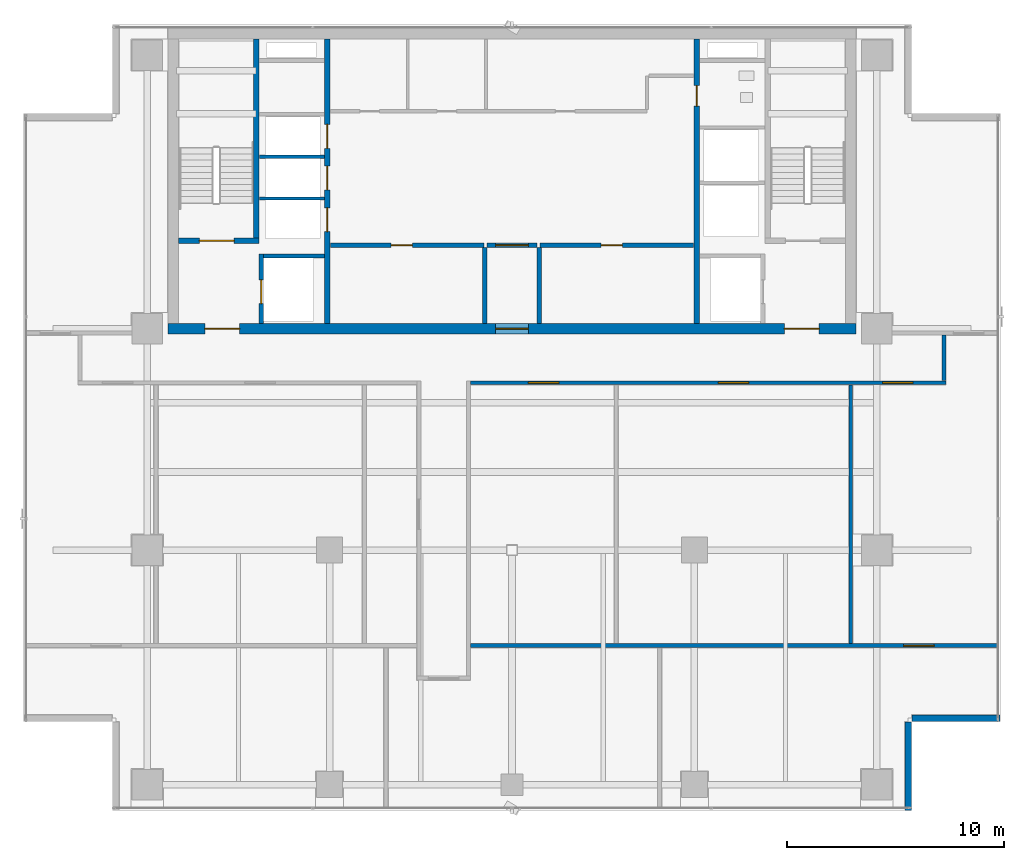
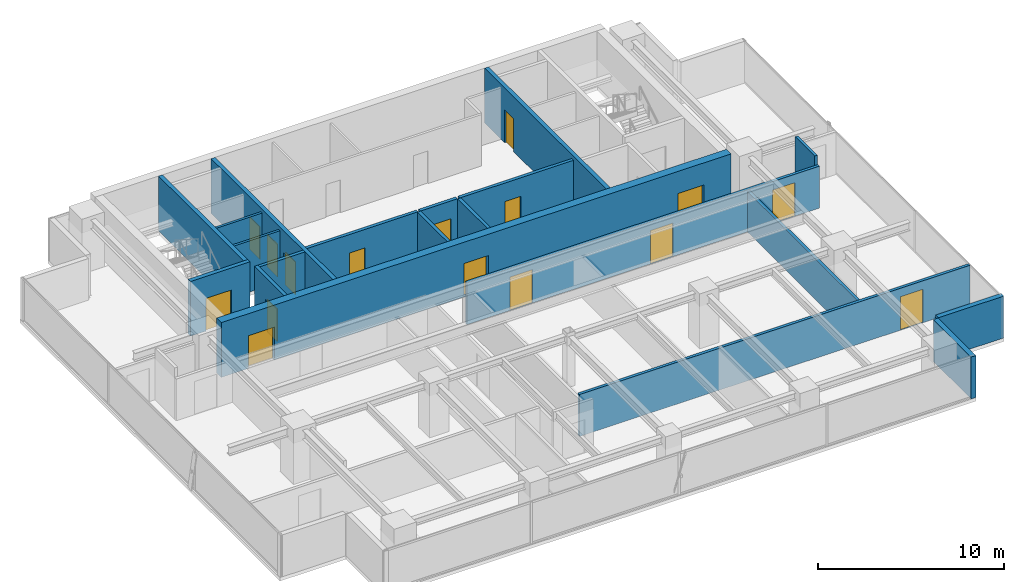
# One storey, part 20 of 25: 20 walls, 16 doors, 16 openings.
"""IFC4 building model written with IfcOpenShell, lengths in metres."""

from ifc_helpers import new_model, si_unit, direction, frame, frame_2d, origin, place, context, subcontext, project, spatial, rectangle, extrude, source, transform, mapped, material, layer, layer_set, type_object, element, fill, save


model = new_model("IFC4")

# Units and contexts
model_context = context("Model", 3, precision=1e-05, world=origin(), true_north=direction((0.0, 1.0)))
body_context = subcontext(model_context, "Body", "Model", "MODEL_VIEW")
ifc_project = project(units=[si_unit("LENGTHUNIT", "METRE"), si_unit("AREAUNIT", "SQUARE_METRE"), si_unit("VOLUMEUNIT", "CUBIC_METRE"), si_unit("PLANEANGLEUNIT", "RADIAN"), si_unit("MASSUNIT", "GRAM", prefix="KILO")], contexts=[model_context])

# Site, building, storey
site_placement = place(None, origin())
site = spatial("IfcSite", under=ifc_project, at=site_placement, CompositionType="ELEMENT")
building_placement = place(site_placement, origin())
building = spatial("IfcBuilding", under=site, at=building_placement, Name="Sumidabori Civic Tower", CompositionType="ELEMENT")
storey_placement = place(building_placement, frame((0.0, 0.0, 268.39990234375)))
storey = spatial("IfcBuildingStorey", under=building, at=storey_placement, Name="L70", CompositionType="ELEMENT", Elevation=268.39990234375)

# Wall
ifc_material_1 = material(Name="Concrete C50/60", Category="concrete")
ifc_layer_1 = layer(ifc_material_1, 0.199951171875, Name="Concrete C50/60")
ifc_layer_set_1 = layer_set([ifc_layer_1], Name="Concrete C50/60")
wall_type_1 = type_object("IfcWallType", Name="WL-SHAFT-200", PredefinedType="SHEAR", material=ifc_layer_set_1)
shared_shape_1 = source(origin(), body_context, "Body", "SweptSolid", [
    extrude(rectangle(XDim=2.824951171875, YDim=0.199951171875, at=frame_2d((1.41259765625, 0.0))), origin(), (0.0, 0.0, 1.0), 3.60009765625),
])
wall_1_placement = place(storey_placement, frame((-11.449951171875, 13.550048828125, 0.0), z_axis=(0.0, 0.0, 1.0), x_axis=(1.0, 0.0, 0.0)))
element("IfcWall", 1, at=wall_1_placement, inside=storey, type_object=wall_type_1, Name="Core Shear Wall L70 EL1-N", PredefinedType="SHEAR", context=body_context, shape_type="MappedRepresentation", body=[
    mapped(shared_shape_1, transform((0.0, 0.0, 0.0), x_axis=(1.0, 0.0, 0.0), y_axis=(0.0, 1.0, 0.0), z_axis=(0.0, 0.0, 1.0), scale=1.0)),
])

# Wall, openings, doors
ifc_layer_2 = layer(ifc_material_1, 0.5, Name="Concrete C50/60")
ifc_layer_set_2 = layer_set([ifc_layer_2], Name="Concrete C50/60")
wall_type_2 = type_object("IfcWallType", Name="WL-CORE-500", PredefinedType="SHEAR", material=ifc_layer_set_2)
shared_shape_2 = source(origin(), body_context, "Body", "SweptSolid", [
    extrude(rectangle(XDim=31.7001953125, YDim=0.5, at=frame_2d((15.85009765625, 0.0))), origin(), (0.0, 0.0, 1.0), 3.60009765625),
])
wall_2_placement = place(storey_placement, frame((-15.85009765625, 10.199951171875, 0.0), z_axis=(0.0, 0.0, 1.0), x_axis=(1.0, 0.0, 0.0)))
wall_2 = element("IfcWall", 2, at=wall_2_placement, inside=storey, type_object=wall_type_2, Name="Core Shear Wall L70 S", PredefinedType="SHEAR", context=body_context, shape_type="MappedRepresentation", body=[
    mapped(shared_shape_2, transform((0.0, 0.0, 0.0), x_axis=(1.0, 0.0, 0.0), y_axis=(0.0, 1.0, 0.0), z_axis=(0.0, 0.0, 1.0), scale=1.0)),
])
opening_1_placement = place(wall_2_placement, frame((1.699951171875, 0.0, 0.0)))
opening_1 = element("IfcOpeningElement", 3, at=opening_1_placement, cuts=wall_2, Name="Opening DR-FD4", PredefinedType="OPENING", context=body_context, shape_type="SweptSolid", body=[
    extrude(rectangle(XDim=1.60009765625, YDim=2.14990234375, at=frame_2d((0.800048828125, 1.074951171875))), frame((0.0, 0.261962890625, 0.0), z_axis=(0.0, -1.0, 0.0), x_axis=(1.0, 0.0, 0.0)), (0.0, 0.0, 1.0), 0.52392578125),
])
opening_2_placement = place(wall_2_placement, frame((28.39990234375, 0.0, 0.0)))
opening_2 = element("IfcOpeningElement", 4, at=opening_2_placement, cuts=wall_2, Name="Opening DR-FD4", PredefinedType="OPENING", context=body_context, shape_type="SweptSolid", body=[
    extrude(rectangle(XDim=1.60009765625, YDim=2.14990234375, at=frame_2d((0.800048828125, 1.074951171875))), frame((0.0, 0.261962890625, 0.0), z_axis=(0.0, -1.0, 0.0), x_axis=(1.0, 0.0, 0.0)), (0.0, 0.0, 1.0), 0.52392578125),
])
opening_3_placement = place(wall_2_placement, frame((15.10009765625, 0.0, 0.0)))
opening_3 = element("IfcOpeningElement", 5, at=opening_3_placement, cuts=wall_2, Name="Opening DR-FD3", PredefinedType="OPENING", context=body_context, shape_type="SweptSolid", body=[
    extrude(rectangle(XDim=1.5, YDim=2.199951171875, at=frame_2d((0.75, 1.10009765625))), frame((0.0, 0.261962890625, 0.0), z_axis=(0.0, -1.0, 0.0), x_axis=(1.0, 0.0, 0.0)), (0.0, 0.0, 1.0), 0.52392578125),
])
ifc_material_2 = material(Name="Steel SN490", Category="steel")
door_type_1 = type_object("IfcDoorType", Name="DR-FD4", OperationType="DOUBLE_DOOR_SINGLE_SWING", PredefinedType="DOOR", material=ifc_material_2)
shared_shape_3 = source(origin(), body_context, "Body", "SweptSolid", [
    extrude(rectangle(XDim=1.60009765625, YDim=2.14990234375, at=frame_2d((0.800048828125, 1.074951171875))), frame((0.0, 0.02490234375, 0.0), z_axis=(0.0, -1.0, 0.0), x_axis=(1.0, 0.0, 0.0)), (0.0, 0.0, 1.0), 0.050048828125),
])
door_1_placement = place(opening_1_placement, origin())
door_1 = element("IfcDoor", 6, at=door_1_placement, inside=storey, type_object=door_type_1, Name="Door DR:L70:ELOB-W", OperationType="DOUBLE_DOOR_SINGLE_SWING", OverallHeight=2.14990234375, OverallWidth=1.60009765625, PredefinedType="DOOR", context=body_context, shape_type="MappedRepresentation", body=[
    mapped(shared_shape_3, transform((0.0, 0.0, 0.0), x_axis=(1.0, 0.0, 0.0), y_axis=(0.0, 1.0, 0.0), z_axis=(0.0, 0.0, 1.0), scale=1.0)),
])
fill(opening_1, door_1)
door_2_placement = place(opening_2_placement, origin())
door_2 = element("IfcDoor", 7, at=door_2_placement, inside=storey, type_object=door_type_1, Name="Door DR:L70:ELOB-E", OperationType="DOUBLE_DOOR_SINGLE_SWING", OverallHeight=2.14990234375, OverallWidth=1.60009765625, PredefinedType="DOOR", context=body_context, shape_type="MappedRepresentation", body=[
    mapped(shared_shape_3, transform((0.0, 0.0, 0.0), x_axis=(1.0, 0.0, 0.0), y_axis=(0.0, 1.0, 0.0), z_axis=(0.0, 0.0, 1.0), scale=1.0)),
])
fill(opening_2, door_2)
door_type_2 = type_object("IfcDoorType", Name="DR-FD-DBL", OperationType="DOUBLE_DOOR_SINGLE_SWING", PredefinedType="DOOR", material=ifc_material_2)
shared_shape_4 = source(origin(), body_context, "Body", "SweptSolid", [
    extrude(rectangle(XDim=1.5, YDim=2.199951171875, at=frame_2d((0.75, 1.10009765625))), frame((0.0, 0.02490234375, 0.0), z_axis=(0.0, -1.0, 0.0), x_axis=(1.0, 0.0, 0.0)), (0.0, 0.0, 1.0), 0.050048828125),
])
door_3_placement = place(opening_3_placement, origin())
door_3 = element("IfcDoor", 8, at=door_3_placement, inside=storey, type_object=door_type_2, Name="Door DR:L70:THROAT-OUT", OperationType="DOUBLE_DOOR_SINGLE_SWING", OverallHeight=2.199951171875, OverallWidth=1.5, PredefinedType="DOOR", context=body_context, shape_type="MappedRepresentation", body=[
    mapped(shared_shape_4, transform((0.0, 0.0, 0.0), x_axis=(1.0, 0.0, 0.0), y_axis=(0.0, 1.0, 0.0), z_axis=(0.0, 0.0, 1.0), scale=1.0)),
])
fill(opening_3, door_3)

ifc_layer_3 = layer(ifc_material_1, 0.25, Name="Concrete C50/60")
ifc_layer_set_3 = layer_set([ifc_layer_3], Name="Concrete C50/60")
wall_type_3 = type_object("IfcWallType", Name="WL-SHAFT-250", PredefinedType="SHEAR", material=ifc_layer_set_3)
shared_shape_5 = source(origin(), body_context, "Body", "SweptSolid", [
    extrude(rectangle(XDim=13.10009765625, YDim=0.25, at=frame_2d((6.550048828125, 0.0))), origin(), (0.0, 0.0, 1.0), 3.60009765625),
])
wall_3_placement = place(storey_placement, frame((-8.5, 10.449951171875, 0.0), z_axis=(0.0, 0.0, 1.0), x_axis=(0.0, 1.0, 0.0)))
wall_3 = element("IfcWall", 9, at=wall_3_placement, inside=storey, type_object=wall_type_3, Name="Core Shear Wall L70 WEB-W", PredefinedType="SHEAR", context=body_context, shape_type="MappedRepresentation", body=[
    mapped(shared_shape_5, transform((0.0, 0.0, 0.0), x_axis=(1.0, 0.0, 0.0), y_axis=(0.0, 1.0, 0.0), z_axis=(0.0, 0.0, 1.0), scale=1.0)),
])
opening_4_placement = place(wall_3_placement, frame((4.219970703125, 0.0, 0.0)))
opening_4 = element("IfcOpeningElement", 10, at=opening_4_placement, cuts=wall_3, Name="Opening LD-1", PredefinedType="OPENING", context=body_context, shape_type="SweptSolid", body=[
    extrude(rectangle(XDim=1.10009765625, YDim=2.14990234375, at=frame_2d((0.550048828125, 1.074951171875))), frame((0.0, 0.136962890625, 0.0), z_axis=(0.0, -1.0, 0.0), x_axis=(1.0, 0.0, 0.0)), (0.0, 0.0, 1.0), 0.27392578125),
])
opening_5_placement = place(wall_3_placement, frame((6.139892578125, 0.0, 0.0)))
opening_5 = element("IfcOpeningElement", 11, at=opening_5_placement, cuts=wall_3, Name="Opening LD-1", PredefinedType="OPENING", context=body_context, shape_type="SweptSolid", body=[
    extrude(rectangle(XDim=1.10009765625, YDim=2.14990234375, at=frame_2d((0.550048828125, 1.074951171875))), frame((0.0, 0.136962890625, 0.0), z_axis=(0.0, -1.0, 0.0), x_axis=(1.0, 0.0, 0.0)), (0.0, 0.0, 1.0), 0.27392578125),
])
opening_6_placement = place(wall_3_placement, frame((8.06005859375, 0.0, 0.0)))
opening_6 = element("IfcOpeningElement", 12, at=opening_6_placement, cuts=wall_3, Name="Opening LD-1", PredefinedType="OPENING", context=body_context, shape_type="SweptSolid", body=[
    extrude(rectangle(XDim=1.10009765625, YDim=2.14990234375, at=frame_2d((0.550048828125, 1.074951171875))), frame((0.0, 0.136962890625, 0.0), z_axis=(0.0, -1.0, 0.0), x_axis=(1.0, 0.0, 0.0)), (0.0, 0.0, 1.0), 0.27392578125),
])
ifc_material_3 = material(Name="Stainless Steel Hairline Finish", Category="steel")
door_type_3 = type_object("IfcDoorType", Name="DR-LD1", OperationType="DOUBLE_DOOR_SLIDING", PredefinedType="DOOR", material=ifc_material_3)
shared_shape_6 = source(origin(), body_context, "Body", "SweptSolid", [
    extrude(rectangle(XDim=1.10009765625, YDim=2.14990234375, at=frame_2d((0.550048828125, 1.074951171875))), frame((0.0, 0.02490234375, 0.0), z_axis=(0.0, -1.0, 0.0), x_axis=(1.0, 0.0, 0.0)), (0.0, 0.0, 1.0), 0.050048828125),
])
door_4_placement = place(opening_4_placement, origin())
door_4 = element("IfcDoor", 13, at=door_4_placement, inside=storey, type_object=door_type_3, Name="Door DR:L70:LD-PLH1", OperationType="DOUBLE_DOOR_SLIDING", OverallHeight=2.14990234375, OverallWidth=1.10009765625, PredefinedType="DOOR", context=body_context, shape_type="MappedRepresentation", body=[
    mapped(shared_shape_6, transform((0.0, 0.0, 0.0), x_axis=(1.0, 0.0, 0.0), y_axis=(0.0, 1.0, 0.0), z_axis=(0.0, 0.0, 1.0), scale=1.0)),
])
fill(opening_4, door_4)
door_5_placement = place(opening_5_placement, origin())
door_5 = element("IfcDoor", 14, at=door_5_placement, inside=storey, type_object=door_type_3, Name="Door DR:L70:LD-PLH2", OperationType="DOUBLE_DOOR_SLIDING", OverallHeight=2.14990234375, OverallWidth=1.10009765625, PredefinedType="DOOR", context=body_context, shape_type="MappedRepresentation", body=[
    mapped(shared_shape_6, transform((0.0, 0.0, 0.0), x_axis=(1.0, 0.0, 0.0), y_axis=(0.0, 1.0, 0.0), z_axis=(0.0, 0.0, 1.0), scale=1.0)),
])
fill(opening_5, door_5)
door_6_placement = place(opening_6_placement, origin())
door_6 = element("IfcDoor", 15, at=door_6_placement, inside=storey, type_object=door_type_3, Name="Door DR:L70:LD-PLH3", OperationType="DOUBLE_DOOR_SLIDING", OverallHeight=2.14990234375, OverallWidth=1.10009765625, PredefinedType="DOOR", context=body_context, shape_type="MappedRepresentation", body=[
    mapped(shared_shape_6, transform((0.0, 0.0, 0.0), x_axis=(1.0, 0.0, 0.0), y_axis=(0.0, 1.0, 0.0), z_axis=(0.0, 0.0, 1.0), scale=1.0)),
])
fill(opening_6, door_6)

# Wall, opening, door
wall_4_placement = place(storey_placement, frame((8.5, 10.449951171875, 0.0), z_axis=(0.0, 0.0, 1.0), x_axis=(0.0, 1.0, 0.0)))
wall_4 = element("IfcWall", 16, at=wall_4_placement, inside=storey, type_object=wall_type_3, Name="Core Shear Wall L70 WEB-E", PredefinedType="SHEAR", context=body_context, shape_type="MappedRepresentation", body=[
    mapped(shared_shape_5, transform((0.0, 0.0, 0.0), x_axis=(1.0, 0.0, 0.0), y_axis=(0.0, 1.0, 0.0), z_axis=(0.0, 0.0, 1.0), scale=1.0)),
])
opening_7_placement = place(wall_4_placement, frame((10.0, 0.0, 0.0)))
opening_7 = element("IfcOpeningElement", 17, at=opening_7_placement, cuts=wall_4, Name="Opening DR-2", PredefinedType="OPENING", context=body_context, shape_type="SweptSolid", body=[
    extrude(rectangle(XDim=0.949951171875, YDim=2.14990234375, at=frame_2d((0.47509765625, 1.074951171875))), frame((0.0, 0.136962890625, 0.0), z_axis=(0.0, -1.0, 0.0), x_axis=(1.0, 0.0, 0.0)), (0.0, 0.0, 1.0), 0.27392578125),
])
ifc_material_4 = material(Name="Japanese Hinoki Timber", Category="wood")
door_type_4 = type_object("IfcDoorType", Name="DR-INT-950", OperationType="NOTDEFINED", PredefinedType="DOOR", material=ifc_material_4)
shared_shape_7 = source(origin(), body_context, "Body", "SweptSolid", [
    extrude(rectangle(XDim=0.949951171875, YDim=2.14990234375, at=frame_2d((0.47509765625, 1.074951171875))), frame((0.0, 0.02490234375, 0.0), z_axis=(0.0, -1.0, 0.0), x_axis=(1.0, 0.0, 0.0)), (0.0, 0.0, 1.0), 0.050048828125),
])
door_7_placement = place(opening_7_placement, origin())
door_7 = element("IfcDoor", 18, at=door_7_placement, inside=storey, type_object=door_type_4, Name="Door DR:L70:WC-ACC", OperationType="SINGLE_SWING_RIGHT", OverallHeight=2.14990234375, OverallWidth=0.949951171875, PredefinedType="DOOR", context=body_context, shape_type="MappedRepresentation", body=[
    mapped(shared_shape_7, transform((0.0, 0.0, 0.0), x_axis=(1.0, 0.0, 0.0), y_axis=(0.0, 1.0, 0.0), z_axis=(0.0, 0.0, 1.0), scale=1.0)),
])
fill(opening_7, door_7)

shared_shape_8 = source(origin(), body_context, "Body", "SweptSolid", [
    extrude(rectangle(XDim=3.705078125, YDim=0.25, at=frame_2d((1.8525390625, 0.0))), origin(), (0.0, 0.0, 1.0), 3.60009765625),
])
wall_5_placement = place(storey_placement, frame((-15.35009765625, 14.25, 0.0), z_axis=(0.0, 0.0, 1.0), x_axis=(1.0, 0.0, 0.0)))
wall_5 = element("IfcWall", 19, at=wall_5_placement, inside=storey, type_object=wall_type_3, Name="Core Shear Wall L70 ST1-S", PredefinedType="SHEAR", context=body_context, shape_type="MappedRepresentation", body=[
    mapped(shared_shape_8, transform((0.0, 0.0, 0.0), x_axis=(1.0, 0.0, 0.0), y_axis=(0.0, 1.0, 0.0), z_axis=(0.0, 0.0, 1.0), scale=1.0)),
])
opening_8_placement = place(wall_5_placement, frame((0.949951171875, 0.0, 0.0)))
opening_8 = element("IfcOpeningElement", 20, at=opening_8_placement, cuts=wall_5, Name="Opening DR-FD4", PredefinedType="OPENING", context=body_context, shape_type="SweptSolid", body=[
    extrude(rectangle(XDim=1.60009765625, YDim=2.14990234375, at=frame_2d((0.800048828125, 1.074951171875))), frame((0.0, 0.136962890625, 0.0), z_axis=(0.0, -1.0, 0.0), x_axis=(1.0, 0.0, 0.0)), (0.0, 0.0, 1.0), 0.27392578125),
])
door_8_placement = place(opening_8_placement, origin())
door_8 = element("IfcDoor", 21, at=door_8_placement, inside=storey, type_object=door_type_1, Name="Door DR:L70:ST1", OperationType="DOUBLE_DOOR_SINGLE_SWING", OverallHeight=2.14990234375, OverallWidth=1.60009765625, PredefinedType="DOOR", context=body_context, shape_type="MappedRepresentation", body=[
    mapped(shared_shape_3, transform((0.0, 0.0, 0.0), x_axis=(1.0, 0.0, 0.0), y_axis=(0.0, 1.0, 0.0), z_axis=(0.0, 0.0, 1.0), scale=1.0)),
])
fill(opening_8, door_8)

# Wall
shared_shape_9 = source(origin(), body_context, "Body", "SweptSolid", [
    extrude(rectangle(XDim=9.175048828125, YDim=0.25, at=frame_2d((4.58740234375, 0.0))), origin(), (0.0, 0.0, 1.0), 3.60009765625),
])
wall_6_placement = place(storey_placement, frame((-11.77001953125, 14.375, 0.0), z_axis=(0.0, 0.0, 1.0), x_axis=(0.0, 1.0, 0.0)))
element("IfcWall", 22, at=wall_6_placement, inside=storey, type_object=wall_type_3, Name="Core Shear Wall L70 ST1-E", PredefinedType="SHEAR", context=body_context, shape_type="MappedRepresentation", body=[
    mapped(shared_shape_9, transform((0.0, 0.0, 0.0), x_axis=(1.0, 0.0, 0.0), y_axis=(0.0, 1.0, 0.0), z_axis=(0.0, 0.0, 1.0), scale=1.0)),
])

# Wall, opening, door
shared_shape_10 = source(origin(), body_context, "Body", "SweptSolid", [
    extrude(rectangle(XDim=3.199951171875, YDim=0.199951171875, at=frame_2d((1.60009765625, 0.0))), origin(), (0.0, 0.0, 1.0), 3.60009765625),
])
wall_7_placement = place(storey_placement, frame((-11.550048828125, 10.449951171875, 0.0), z_axis=(0.0, 0.0, 1.0), x_axis=(0.0, 1.0, 0.0)))
wall_7 = element("IfcWall", 23, at=wall_7_placement, inside=storey, type_object=wall_type_1, Name="Core Shear Wall L70 EL1-W", PredefinedType="SHEAR", context=body_context, shape_type="MappedRepresentation", body=[
    mapped(shared_shape_10, transform((0.0, 0.0, 0.0), x_axis=(1.0, 0.0, 0.0), y_axis=(0.0, 1.0, 0.0), z_axis=(0.0, 0.0, 1.0), scale=1.0)),
])
opening_9_placement = place(wall_7_placement, frame((0.89990234375, 0.0, 0.0)))
opening_9 = element("IfcOpeningElement", 24, at=opening_9_placement, cuts=wall_7, Name="Opening LD-2", PredefinedType="OPENING", context=body_context, shape_type="SweptSolid", body=[
    extrude(rectangle(XDim=1.10009765625, YDim=2.14990234375, at=frame_2d((0.550048828125, 1.074951171875))), frame((0.0, 0.11181640625, 0.0), z_axis=(0.0, -1.0, 0.0), x_axis=(1.0, 0.0, 0.0)), (0.0, 0.0, 1.0), 0.223876953125),
])
door_type_5 = type_object("IfcDoorType", Name="DR-LD2", OperationType="DOUBLE_DOOR_SLIDING", PredefinedType="DOOR", material=ifc_material_3)
door_9_placement = place(opening_9_placement, origin())
door_9 = element("IfcDoor", 25, at=door_9_placement, inside=storey, type_object=door_type_5, Name="Door DR:L70:LD-EL1", OperationType="DOUBLE_DOOR_SLIDING", OverallHeight=2.14990234375, OverallWidth=1.10009765625, PredefinedType="DOOR", context=body_context, shape_type="MappedRepresentation", body=[
    mapped(shared_shape_6, transform((0.0, 0.0, 0.0), x_axis=(1.0, 0.0, 0.0), y_axis=(0.0, 1.0, 0.0), z_axis=(0.0, 0.0, 1.0), scale=1.0)),
])
fill(opening_9, door_9)

# Walls
ifc_material_5 = material(Name="Precast concrete C40/50", Category="concrete")
ifc_layer_4 = layer(ifc_material_5, 0.300048828125, Name="Precast concrete C40/50")
ifc_layer_set_4 = layer_set([ifc_layer_4], Name="Precast concrete C40/50")
wall_type_4 = type_object("IfcWallType", Name="WL-EXT-POD300", PredefinedType="STANDARD", material=ifc_layer_set_4)
shared_shape_11 = source(origin(), body_context, "Body", "SweptSolid", [
    extrude(rectangle(XDim=4.06005859375, YDim=0.300048828125, at=frame_2d((2.030029296875, 0.0))), origin(), (0.0, 0.0, 1.0), 2.75),
])
for number, where, z_axis, x_axis, name in (
    (26, (18.25, -11.97998046875, 0.0), (0.0, 0.0, 1.0), (0.0, 1.0, 0.0), "Notched Corner Spandrel Band L70-02"),
    (27, (18.419921875, -7.75, 0.0), (0.0, 0.0, 1.0), (1.0, 0.0, 0.0), "Notched Corner Spandrel Band L70-03"),
):
    element("IfcWall", number, at=place(storey_placement, frame(where, z_axis=z_axis, x_axis=x_axis)), inside=storey, type_object=wall_type_4, Name=name, PredefinedType="STANDARD", context=body_context, shape_type="MappedRepresentation", body=[
        mapped(shared_shape_11, transform((0.0, 0.0, 0.0), x_axis=(1.0, 0.0, 0.0), y_axis=(0.0, 1.0, 0.0), z_axis=(0.0, 0.0, 1.0), scale=1.0)),
    ])
ifc_material_6 = material(Name="Gypsum Plasterboard Acoustic Partition")
ifc_layer_5 = layer(ifc_material_6, 0.14990234375, Name="Gypsum Plasterboard Acoustic Partition")
ifc_layer_set_5 = layer_set([ifc_layer_5], Name="Gypsum Plasterboard Acoustic Partition")
wall_type_5 = type_object("IfcWallType", Name="WL-PART-150", PredefinedType="PARTITIONING", material=ifc_layer_set_5)
shared_shape_12 = source(origin(), body_context, "Body", "SweptSolid", [
    extrude(rectangle(XDim=3.010009765625, YDim=0.14990234375, at=frame_2d((1.5048828125, 0.0))), origin(), (0.0, 0.0, 1.0), 3.3701171875),
])
for number, where, z_axis, x_axis, name in (
    (28, (-11.639892578125, 16.199951171875, 0.0), (0.0, 0.0, 1.0), (1.0, 0.0, 0.0), "Interior Partition WL:L70:DIV-PLH1"),
    (29, (-11.639892578125, 18.1201171875, 0.0), (0.0, 0.0, 1.0), (1.0, 0.0, 0.0), "Interior Partition WL:L70:DIV-PLH2"),
):
    element("IfcWall", number, at=place(storey_placement, frame(where, z_axis=z_axis, x_axis=x_axis)), inside=storey, type_object=wall_type_5, Name=name, PredefinedType="PARTITIONING", context=body_context, shape_type="MappedRepresentation", body=[
        mapped(shared_shape_12, transform((0.0, 0.0, 0.0), x_axis=(1.0, 0.0, 0.0), y_axis=(0.0, 1.0, 0.0), z_axis=(0.0, 0.0, 1.0), scale=1.0)),
    ])

# Wall, opening, door
ifc_material_7 = material(Name="Gypsum Plasterboard Fire Partition")
ifc_layer_6 = layer(ifc_material_7, 0.199951171875, Name="Gypsum Plasterboard Fire Partition")
ifc_layer_set_6 = layer_set([ifc_layer_6], Name="Gypsum Plasterboard Fire Partition")
wall_type_6 = type_object("IfcWallType", Name="WL-PART-FIRE", PredefinedType="PARTITIONING", material=ifc_layer_set_6)
shared_shape_13 = source(origin(), body_context, "Body", "SweptSolid", [
    extrude(rectangle(XDim=7.070068359375, YDim=0.199951171875, at=frame_2d((3.53515625, 0.0))), origin(), (0.0, 0.0, 1.0), 3.3701171875),
])
wall_8_placement = place(storey_placement, frame((-8.3701171875, 14.050048828125, 0.0), z_axis=(0.0, 0.0, 1.0), x_axis=(1.0, 0.0, 0.0)))
wall_8 = element("IfcWall", 30, at=wall_8_placement, inside=storey, type_object=wall_type_6, Name="Interior Partition WL:L70:CBAND-SW", PredefinedType="PARTITIONING", context=body_context, shape_type="MappedRepresentation", body=[
    mapped(shared_shape_13, transform((0.0, 0.0, 0.0), x_axis=(1.0, 0.0, 0.0), y_axis=(0.0, 1.0, 0.0), z_axis=(0.0, 0.0, 1.0), scale=1.0)),
])
opening_10_placement = place(wall_8_placement, frame((2.800048828125, 0.0, 0.0)))
opening_10 = element("IfcOpeningElement", 31, at=opening_10_placement, cuts=wall_8, Name="Opening DR-3", PredefinedType="OPENING", context=body_context, shape_type="SweptSolid", body=[
    extrude(rectangle(XDim=0.97998046875, YDim=2.14990234375, at=frame_2d((0.489990234375, 1.074951171875))), frame((0.0, 0.11181640625, 0.0), z_axis=(0.0, -1.0, 0.0), x_axis=(1.0, 0.0, 0.0)), (0.0, 0.0, 1.0), 0.223876953125),
])
door_type_6 = type_object("IfcDoorType", Name="DR-INT-980", OperationType="NOTDEFINED", PredefinedType="DOOR", material=ifc_material_4)
shared_shape_14 = source(origin(), body_context, "Body", "SweptSolid", [
    extrude(rectangle(XDim=0.97998046875, YDim=2.14990234375, at=frame_2d((0.489990234375, 1.074951171875))), frame((0.0, 0.02490234375, 0.0), z_axis=(0.0, -1.0, 0.0), x_axis=(1.0, 0.0, 0.0)), (0.0, 0.0, 1.0), 0.050048828125),
])
door_10_placement = place(opening_10_placement, origin())
door_10 = element("IfcDoor", 32, at=door_10_placement, inside=storey, type_object=door_type_6, Name="Door DR:L70:REC-B1", OperationType="SINGLE_SWING_LEFT", OverallHeight=2.14990234375, OverallWidth=0.97998046875, PredefinedType="DOOR", context=body_context, shape_type="MappedRepresentation", body=[
    mapped(shared_shape_14, transform((0.0, 0.0, 0.0), x_axis=(1.0, 0.0, 0.0), y_axis=(0.0, 1.0, 0.0), z_axis=(0.0, 0.0, 1.0), scale=1.0)),
])
fill(opening_10, door_10)

wall_9_placement = place(storey_placement, frame((1.300048828125, 14.050048828125, 0.0), z_axis=(0.0, 0.0, 1.0), x_axis=(1.0, 0.0, 0.0)))
wall_9 = element("IfcWall", 33, at=wall_9_placement, inside=storey, type_object=wall_type_6, Name="Interior Partition WL:L70:CBAND-SE", PredefinedType="PARTITIONING", context=body_context, shape_type="MappedRepresentation", body=[
    mapped(shared_shape_13, transform((0.0, 0.0, 0.0), x_axis=(1.0, 0.0, 0.0), y_axis=(0.0, 1.0, 0.0), z_axis=(0.0, 0.0, 1.0), scale=1.0)),
])
opening_11_placement = place(wall_9_placement, frame((2.800048828125, 0.0, 0.0)))
opening_11 = element("IfcOpeningElement", 34, at=opening_11_placement, cuts=wall_9, Name="Opening DR-3", PredefinedType="OPENING", context=body_context, shape_type="SweptSolid", body=[
    extrude(rectangle(XDim=0.97998046875, YDim=2.14990234375, at=frame_2d((0.489990234375, 1.074951171875))), frame((0.0, 0.11181640625, 0.0), z_axis=(0.0, -1.0, 0.0), x_axis=(1.0, 0.0, 0.0)), (0.0, 0.0, 1.0), 0.223876953125),
])
door_11_placement = place(opening_11_placement, origin())
door_11 = element("IfcDoor", 35, at=door_11_placement, inside=storey, type_object=door_type_6, Name="Door DR:L70:REC-B2", OperationType="SINGLE_SWING_RIGHT", OverallHeight=2.14990234375, OverallWidth=0.97998046875, PredefinedType="DOOR", context=body_context, shape_type="MappedRepresentation", body=[
    mapped(shared_shape_14, transform((0.0, 0.0, 0.0), x_axis=(1.0, 0.0, 0.0), y_axis=(0.0, 1.0, 0.0), z_axis=(0.0, 0.0, 1.0), scale=1.0)),
])
fill(opening_11, door_11)

# Walls
shared_shape_15 = source(origin(), body_context, "Body", "SweptSolid", [
    extrude(rectangle(XDim=3.489990234375, YDim=0.199951171875, at=frame_2d((1.7451171875, 0.0))), origin(), (0.0, 0.0, 1.0), 3.3701171875),
])
for number, where, z_axis, x_axis, name in (
    (36, (-1.25, 10.449951171875, 0.0), (0.0, 0.0, 1.0), (0.0, 1.0, 0.0), "Interior Partition WL:L70:THROAT-W"),
    (37, (1.25, 10.449951171875, 0.0), (0.0, 0.0, 1.0), (0.0, 1.0, 0.0), "Interior Partition WL:L70:THROAT-E"),
):
    element("IfcWall", number, at=place(storey_placement, frame(where, z_axis=z_axis, x_axis=x_axis)), inside=storey, type_object=wall_type_6, Name=name, PredefinedType="PARTITIONING", context=body_context, shape_type="MappedRepresentation", body=[
        mapped(shared_shape_15, transform((0.0, 0.0, 0.0), x_axis=(1.0, 0.0, 0.0), y_axis=(0.0, 1.0, 0.0), z_axis=(0.0, 0.0, 1.0), scale=1.0)),
    ])

# Wall, opening, door
shared_shape_16 = source(origin(), body_context, "Body", "SweptSolid", [
    extrude(rectangle(XDim=2.2998046875, YDim=0.199951171875, at=frame_2d((1.14990234375, 0.0))), origin(), (0.0, 0.0, 1.0), 3.3701171875),
])
wall_10_placement = place(storey_placement, frame((-1.14990234375, 14.050048828125, 0.0), z_axis=(0.0, 0.0, 1.0), x_axis=(1.0, 0.0, 0.0)))
wall_10 = element("IfcWall", 38, at=wall_10_placement, inside=storey, type_object=wall_type_6, Name="Interior Partition WL:L70:THROAT-N", PredefinedType="PARTITIONING", context=body_context, shape_type="MappedRepresentation", body=[
    mapped(shared_shape_16, transform((0.0, 0.0, 0.0), x_axis=(1.0, 0.0, 0.0), y_axis=(0.0, 1.0, 0.0), z_axis=(0.0, 0.0, 1.0), scale=1.0)),
])
opening_12_placement = place(wall_10_placement, frame((0.39990234375, 0.0, 0.0)))
opening_12 = element("IfcOpeningElement", 39, at=opening_12_placement, cuts=wall_10, Name="Opening DR-FD3", PredefinedType="OPENING", context=body_context, shape_type="SweptSolid", body=[
    extrude(rectangle(XDim=1.5, YDim=2.199951171875, at=frame_2d((0.75, 1.10009765625))), frame((0.0, 0.11181640625, 0.0), z_axis=(0.0, -1.0, 0.0), x_axis=(1.0, 0.0, 0.0)), (0.0, 0.0, 1.0), 0.223876953125),
])
door_12_placement = place(opening_12_placement, origin())
door_12 = element("IfcDoor", 40, at=door_12_placement, inside=storey, type_object=door_type_2, Name="Door DR:L70:THROAT-IN", OperationType="DOUBLE_DOOR_SINGLE_SWING", OverallHeight=2.199951171875, OverallWidth=1.5, PredefinedType="DOOR", context=body_context, shape_type="MappedRepresentation", body=[
    mapped(shared_shape_4, transform((0.0, 0.0, 0.0), x_axis=(1.0, 0.0, 0.0), y_axis=(0.0, 1.0, 0.0), z_axis=(0.0, 0.0, 1.0), scale=1.0)),
])
fill(opening_12, door_12)

# Wall
ifc_layer_7 = layer(ifc_material_6, 0.179931640625, Name="Gypsum Plasterboard Acoustic Partition")
ifc_layer_set_7 = layer_set([ifc_layer_7], Name="Gypsum Plasterboard Acoustic Partition")
wall_type_7 = type_object("IfcWallType", Name="WL-PART-180", PredefinedType="PARTITIONING", material=ifc_layer_set_7)
shared_shape_17 = source(origin(), body_context, "Body", "SweptSolid", [
    extrude(rectangle(XDim=11.919921875, YDim=0.179931640625, at=frame_2d((5.9599609375, 0.0))), origin(), (0.0, 0.0, 1.0), 2.655029296875),
])
wall_11_placement = place(storey_placement, frame((15.60009765625, -4.304931640625, 0.0), z_axis=(0.0, 0.0, 1.0), x_axis=(0.0, 1.0, 0.0)))
element("IfcWall", 41, at=wall_11_placement, inside=storey, type_object=wall_type_7, Name="Interior Partition WL:L70:VX-N4", PredefinedType="PARTITIONING", context=body_context, shape_type="MappedRepresentation", body=[
    mapped(shared_shape_17, transform((0.0, 0.0, 0.0), x_axis=(1.0, 0.0, 0.0), y_axis=(0.0, 1.0, 0.0), z_axis=(0.0, 0.0, 1.0), scale=1.0)),
])

# Wall, openings, doors
shared_shape_18 = source(origin(), body_context, "Body", "SweptSolid", [
    extrude(rectangle(XDim=21.89990234375, YDim=0.179931640625, at=frame_2d((10.949951171875, 0.0))), origin(), (0.0, 0.0, 1.0), 2.755126953125),
])
wall_12_placement = place(storey_placement, frame((-1.919921875, 7.7099609375, 0.0), z_axis=(0.0, 0.0, 1.0), x_axis=(1.0, 0.0, 0.0)))
wall_12 = element("IfcWall", 42, at=wall_12_placement, inside=storey, type_object=wall_type_7, Name="Interior Partition WL:L70:CORR-SE", PredefinedType="PARTITIONING", context=body_context, shape_type="MappedRepresentation", body=[
    mapped(shared_shape_18, transform((0.0, 0.0, 0.0), x_axis=(1.0, 0.0, 0.0), y_axis=(0.0, 1.0, 0.0), z_axis=(0.0, 0.0, 1.0), scale=1.0)),
])
opening_13_placement = place(wall_12_placement, frame((18.985107421875, 0.0, 0.0)))
opening_13 = element("IfcOpeningElement", 43, at=opening_13_placement, cuts=wall_12, Name="Opening DR-5", PredefinedType="OPENING", context=body_context, shape_type="SweptSolid", body=[
    extrude(rectangle(XDim=1.39990234375, YDim=2.199951171875, at=frame_2d((0.699951171875, 1.10009765625))), frame((0.0, 0.10205078125, 0.0), z_axis=(0.0, -1.0, 0.0), x_axis=(1.0, 0.0, 0.0)), (0.0, 0.0, 1.0), 0.203857421875),
])
opening_14_placement = place(wall_12_placement, frame((2.675048828125, 0.0, 0.0)))
opening_14 = element("IfcOpeningElement", 44, at=opening_14_placement, cuts=wall_12, Name="Opening DR-5", PredefinedType="OPENING", context=body_context, shape_type="SweptSolid", body=[
    extrude(rectangle(XDim=1.39990234375, YDim=2.199951171875, at=frame_2d((0.699951171875, 1.10009765625))), frame((0.0, 0.10205078125, 0.0), z_axis=(0.0, -1.0, 0.0), x_axis=(1.0, 0.0, 0.0)), (0.0, 0.0, 1.0), 0.203857421875),
])
opening_15_placement = place(wall_12_placement, frame((11.419921875, 0.0, 0.0)))
opening_15 = element("IfcOpeningElement", 45, at=opening_15_placement, cuts=wall_12, Name="Opening DR-5", PredefinedType="OPENING", context=body_context, shape_type="SweptSolid", body=[
    extrude(rectangle(XDim=1.39990234375, YDim=2.199951171875, at=frame_2d((0.699951171875, 1.10009765625))), frame((0.0, 0.10205078125, 0.0), z_axis=(0.0, -1.0, 0.0), x_axis=(1.0, 0.0, 0.0)), (0.0, 0.0, 1.0), 0.203857421875),
])
ifc_material_8 = material(Name="Anodised Bronze Aluminium AW-6063-T6", Category="aluminium")
door_type_7 = type_object("IfcDoorType", Name="DR-DBL-1400", OperationType="DOUBLE_DOOR_SINGLE_SWING", PredefinedType="DOOR", material=ifc_material_8)
shared_shape_19 = source(origin(), body_context, "Body", "SweptSolid", [
    extrude(rectangle(XDim=1.39990234375, YDim=2.199951171875, at=frame_2d((0.699951171875, 1.10009765625))), frame((0.0, 0.02490234375, 0.0), z_axis=(0.0, -1.0, 0.0), x_axis=(1.0, 0.0, 0.0)), (0.0, 0.0, 1.0), 0.050048828125),
])
door_13_placement = place(opening_13_placement, origin())
door_13 = element("IfcDoor", 46, at=door_13_placement, inside=storey, type_object=door_type_7, Name="Door DR:L70:D02", OperationType="DOUBLE_DOOR_SINGLE_SWING", OverallHeight=2.199951171875, OverallWidth=1.39990234375, PredefinedType="DOOR", context=body_context, shape_type="MappedRepresentation", body=[
    mapped(shared_shape_19, transform((0.0, 0.0, 0.0), x_axis=(1.0, 0.0, 0.0), y_axis=(0.0, 1.0, 0.0), z_axis=(0.0, 0.0, 1.0), scale=1.0)),
])
fill(opening_13, door_13)
door_14_placement = place(opening_14_placement, origin())
door_14 = element("IfcDoor", 47, at=door_14_placement, inside=storey, type_object=door_type_7, Name="Door DR:L70:D05", OperationType="DOUBLE_DOOR_SINGLE_SWING", OverallHeight=2.199951171875, OverallWidth=1.39990234375, PredefinedType="DOOR", context=body_context, shape_type="MappedRepresentation", body=[
    mapped(shared_shape_19, transform((0.0, 0.0, 0.0), x_axis=(1.0, 0.0, 0.0), y_axis=(0.0, 1.0, 0.0), z_axis=(0.0, 0.0, 1.0), scale=1.0)),
])
fill(opening_14, door_14)
door_15_placement = place(opening_15_placement, origin())
door_15 = element("IfcDoor", 48, at=door_15_placement, inside=storey, type_object=door_type_7, Name="Door DR:L70:D06", OperationType="DOUBLE_DOOR_SINGLE_SWING", OverallHeight=2.199951171875, OverallWidth=1.39990234375, PredefinedType="DOOR", context=body_context, shape_type="MappedRepresentation", body=[
    mapped(shared_shape_19, transform((0.0, 0.0, 0.0), x_axis=(1.0, 0.0, 0.0), y_axis=(0.0, 1.0, 0.0), z_axis=(0.0, 0.0, 1.0), scale=1.0)),
])
fill(opening_15, door_15)

# Wall
shared_shape_20 = source(origin(), body_context, "Body", "SweptSolid", [
    extrude(rectangle(XDim=2.10009765625, YDim=0.179931640625, at=frame_2d((1.050048828125, 0.0))), origin(), (0.0, 0.0, 1.0), 3.3701171875),
])
wall_13_placement = place(storey_placement, frame((19.889892578125, 7.804931640625, 0.0), z_axis=(0.0, 0.0, 1.0), x_axis=(0.0, 1.0, 0.0)))
element("IfcWall", 49, at=wall_13_placement, inside=storey, type_object=wall_type_7, Name="Interior Partition WL:L70:CORR-VNE", PredefinedType="PARTITIONING", context=body_context, shape_type="MappedRepresentation", body=[
    mapped(shared_shape_20, transform((0.0, 0.0, 0.0), x_axis=(1.0, 0.0, 0.0), y_axis=(0.0, 1.0, 0.0), z_axis=(0.0, 0.0, 1.0), scale=1.0)),
])

# Wall, opening, door
shared_shape_21 = source(origin(), body_context, "Body", "SweptSolid", [
    extrude(rectangle(XDim=24.26513671875, YDim=0.179931640625, at=frame_2d((12.132568359375, 0.0))), origin(), (0.0, 0.0, 1.0), 2.755126953125),
])
wall_14_placement = place(storey_placement, frame((-1.9150390625, -4.39990234375, 0.0), z_axis=(0.0, 0.0, 1.0), x_axis=(1.0, 0.0, 0.0)))
wall_14 = element("IfcWall", 50, at=wall_14_placement, inside=storey, type_object=wall_type_7, Name="Interior Partition WL:L70:BAND-Y-2", PredefinedType="PARTITIONING", context=body_context, shape_type="MappedRepresentation", body=[
    mapped(shared_shape_21, transform((0.0, 0.0, 0.0), x_axis=(1.0, 0.0, 0.0), y_axis=(0.0, 1.0, 0.0), z_axis=(0.0, 0.0, 1.0), scale=1.0)),
])
opening_16_placement = place(wall_14_placement, frame((19.955078125, 0.0, 0.0)))
opening_16 = element("IfcOpeningElement", 51, at=opening_16_placement, cuts=wall_14, Name="Opening DR-5", PredefinedType="OPENING", context=body_context, shape_type="SweptSolid", body=[
    extrude(rectangle(XDim=1.39990234375, YDim=2.199951171875, at=frame_2d((0.699951171875, 1.10009765625))), frame((0.0, 0.10205078125, 0.0), z_axis=(0.0, -1.0, 0.0), x_axis=(1.0, 0.0, 0.0)), (0.0, 0.0, 1.0), 0.203857421875),
])
door_16_placement = place(opening_16_placement, origin())
door_16 = element("IfcDoor", 52, at=door_16_placement, inside=storey, type_object=door_type_7, Name="Door DR:L70:D11", OperationType="DOUBLE_DOOR_SINGLE_SWING", OverallHeight=2.199951171875, OverallWidth=1.39990234375, PredefinedType="DOOR", context=body_context, shape_type="MappedRepresentation", body=[
    mapped(shared_shape_19, transform((0.0, 0.0, 0.0), x_axis=(1.0, 0.0, 0.0), y_axis=(0.0, 1.0, 0.0), z_axis=(0.0, 0.0, 1.0), scale=1.0)),
])
fill(opening_16, door_16)

save(model, "model.ifc")
